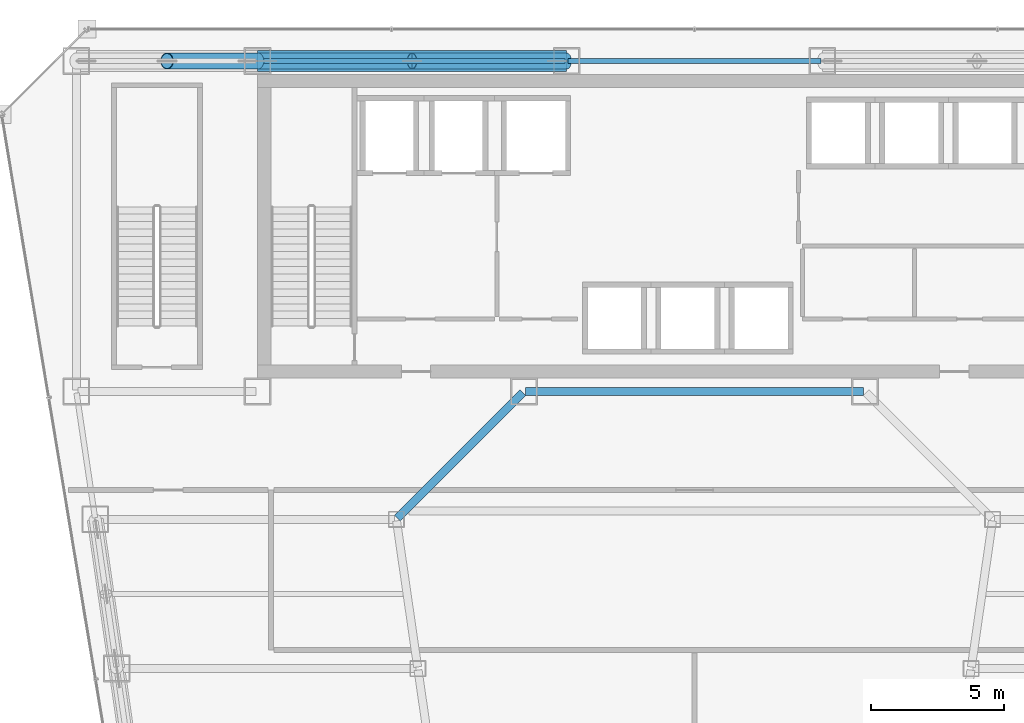
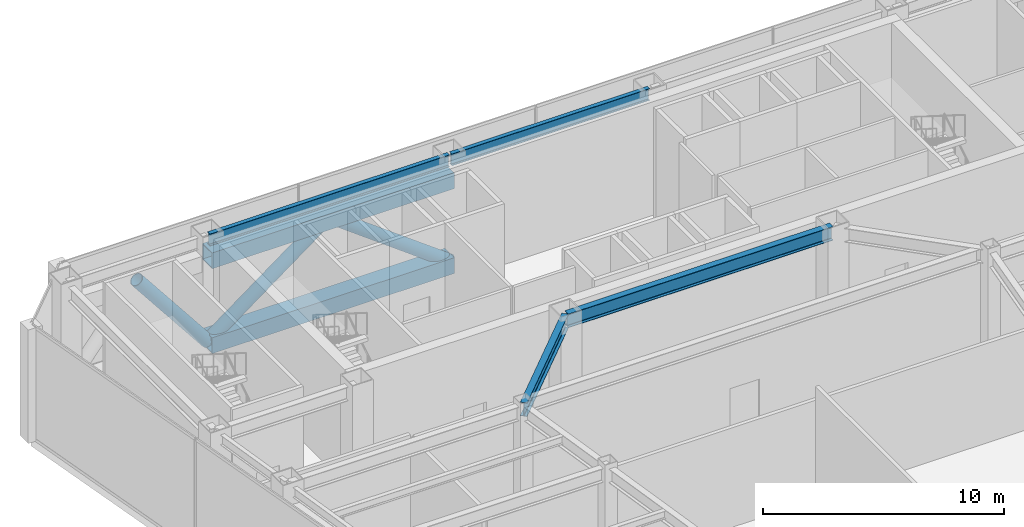
# One storey, part 18 of 30: 5 members, 4 beams.
"""IFC4 building model written with IfcOpenShell, lengths in metres."""

from ifc_helpers import new_model, si_unit, direction, frame, origin, origin_2d, place, context, subcontext, project, spatial, hollow_rectangle, hollow_circle, i_section, extrude, material, material_profile, profile_set, type_object, element, save


model = new_model("IFC4")

# Units and contexts
model_context = context("Model", 3, precision=1e-05, world=origin(), true_north=direction((0.0, 1.0)))
body_context = subcontext(model_context, "Body", "Model", "MODEL_VIEW")
ifc_project = project(units=[si_unit("LENGTHUNIT", "METRE"), si_unit("AREAUNIT", "SQUARE_METRE"), si_unit("VOLUMEUNIT", "CUBIC_METRE"), si_unit("PLANEANGLEUNIT", "RADIAN"), si_unit("MASSUNIT", "GRAM", prefix="KILO")], contexts=[model_context])

# Site, building, storey
site_placement = place(None, origin())
site = spatial("IfcSite", under=ifc_project, at=site_placement, CompositionType="ELEMENT")
building_placement = place(site_placement, origin())
building = spatial("IfcBuilding", under=site, at=building_placement, Name="Saevonmaru Cultural Tower", CompositionType="ELEMENT")
storey_placement = place(building_placement, frame((0.0, 0.0, 123.60009765625)))
storey = spatial("IfcBuildingStorey", under=building, at=storey_placement, Name="L26", CompositionType="ELEMENT", Elevation=123.60009765625)

# Beams
ifc_material_1 = material(Name="Steel SM355", Category="steel")
ifc_material_profile_1 = material_profile(ifc_material_1, i_section(OverallWidth=0.300048828125, OverallDepth=0.699951171875, WebThickness=0.012939453125, FlangeThickness=0.02392578125, FilletRadius=0.02587890625, at=origin_2d()), Name="H-700x300x13x24")
ifc_profile_set_1 = profile_set([ifc_material_profile_1], Name="Steel SM355")
beam_type_1 = type_object("IfcBeamType", Name="BM-G-H700", PredefinedType="BEAM", material=ifc_profile_set_1)
beam_1_placement = place(storey_placement, frame((23.659912109375, 42.39990234375, 5.39990234375), z_axis=(1.0, 0.0, 0.0), x_axis=(0.0, 1.0, 0.0)))
element("IfcBeam", 1, at=beam_1_placement, inside=storey, type_object=beam_type_1, Name="L26 Core South Girder 3", PredefinedType="BEAM", context=body_context, shape_type="SweptSolid", body=[
    extrude(i_section(OverallWidth=0.300048828125, OverallDepth=0.699951171875, WebThickness=0.012939453125, FlangeThickness=0.02392578125, FilletRadius=0.02587890625, at=origin_2d()), origin(), (0.0, 0.0, 1.0), 12.68017578125),
])
beam_2_placement = place(storey_placement, frame((18.850341796875, 37.642578125, 5.39990234375), z_axis=(0.706538566564, 0.707674539572, 0.0), x_axis=(-0.707674539572, 0.706538566564, 0.0)))
element("IfcBeam", 2, at=beam_2_placement, inside=storey, type_object=beam_type_1, Name="L26 West Atrium Girder 5", PredefinedType="BEAM", context=body_context, shape_type="SweptSolid", body=[
    extrude(i_section(OverallWidth=0.300048828125, OverallDepth=0.699951171875, WebThickness=0.012939453125, FlangeThickness=0.02392578125, FilletRadius=0.02587890625, at=origin_2d()), origin(), (0.0, 0.0, 1.0), 6.662353515625),
])
ifc_material_profile_2 = material_profile(ifc_material_1, i_section(OverallWidth=0.199951171875, OverallDepth=0.60009765625, WebThickness=0.010986328125, FlangeThickness=0.01708984375, FilletRadius=0.02197265625, at=origin_2d()), Name="H-600x200x11x17")
ifc_profile_set_2 = profile_set([ifc_material_profile_2], Name="Steel SM355")
beam_type_2 = type_object("IfcBeamType", Name="BM-SP-H600", PredefinedType="SPANDREL", material=ifc_profile_set_2)
beam_3_placement = place(storey_placement, frame((13.659912109375, 54.800048828125, 5.449951171875), z_axis=(1.0, 0.0, 0.0), x_axis=(0.0, 1.0, 0.0)))
element("IfcBeam", 3, at=beam_3_placement, inside=storey, type_object=beam_type_2, Name="L26 North Spine Girder 2", PredefinedType="SPANDREL", context=body_context, shape_type="SweptSolid", body=[
    extrude(i_section(OverallWidth=0.199951171875, OverallDepth=0.60009765625, WebThickness=0.010986328125, FlangeThickness=0.01708984375, FilletRadius=0.02197265625, at=origin_2d()), origin(), (0.0, 0.0, 1.0), 11.47998046875),
])
beam_4_placement = place(storey_placement, frame((25.260009765625, 54.800048828125, 5.449951171875), z_axis=(1.0, 0.0, 0.0), x_axis=(0.0, 1.0, 0.0)))
element("IfcBeam", 4, at=beam_4_placement, inside=storey, type_object=beam_type_2, Name="L26 North Spine Girder 3", PredefinedType="SPANDREL", context=body_context, shape_type="SweptSolid", body=[
    extrude(i_section(OverallWidth=0.199951171875, OverallDepth=0.60009765625, WebThickness=0.010986328125, FlangeThickness=0.01708984375, FilletRadius=0.02197265625, at=origin_2d()), origin(), (0.0, 0.0, 1.0), 9.47998046875),
])

# Members
ifc_material_2 = material(Name="Steel HSA600 (600 MPa)", Category="steel")
ifc_material_profile_3 = material_profile(ifc_material_2, hollow_circle(Radius=0.3046875, WallThickness=0.02490234375, at=origin_2d()), Name="CHS-609.6x25")
ifc_profile_set_3 = profile_set([ifc_material_profile_3], Name="Steel HSA600 (600 MPa)")
member_type_1 = type_object("IfcMemberType", Name="MB-OBR-CHS610", PredefinedType="BRACE", material=ifc_profile_set_3)
member_1_placement = place(storey_placement, frame((13.60009765625, 54.800048828125, 0.2998046875), z_axis=(0.803298940963, 0.0, 0.595576033305), x_axis=(0.0, 1.0, 0.0)))
element("IfcMember", 5, at=member_1_placement, inside=storey, type_object=member_type_1, Name="L26 Outrigger Truss Diagonal OW1-1", PredefinedType="BRACE", context=body_context, shape_type="SweptSolid", body=[
    extrude(hollow_circle(Radius=0.3046875, WallThickness=0.02490234375, at=origin_2d()), origin(), (0.0, 0.0, 1.0), 7.219970703125),
])
member_2_placement = place(storey_placement, frame((25.199951171875, 54.800048828125, 0.2998046875), z_axis=(-0.803310934869, 0.0, 0.595559855867), x_axis=(0.0, -1.0, 0.0)))
element("IfcMember", 6, at=member_2_placement, inside=storey, type_object=member_type_1, Name="L26 Outrigger Truss Diagonal OW1-2", PredefinedType="BRACE", context=body_context, shape_type="SweptSolid", body=[
    extrude(hollow_circle(Radius=0.3046875, WallThickness=0.02490234375, at=origin_2d()), origin(), (0.0, 0.0, 1.0), 7.22021484375),
])
member_3_placement = place(storey_placement, frame((13.60009765625, 54.800048828125, 0.2998046875), z_axis=(-0.620247692314, 0.0, 0.784406017429), x_axis=(0.0, -1.0, 0.0)))
element("IfcMember", 7, at=member_3_placement, inside=storey, type_object=member_type_1, Name="L26 Outrigger Truss Diagonal OW2-2", PredefinedType="BRACE", context=body_context, shape_type="SweptSolid", body=[
    extrude(hollow_circle(Radius=0.3046875, WallThickness=0.02490234375, at=origin_2d()), origin(), (0.0, 0.0, 1.0), 5.48193359375),
])
ifc_material_profile_4 = material_profile(ifc_material_2, hollow_rectangle(XDim=0.800048828125, YDim=0.800048828125, WallThickness=0.035888671875, at=origin_2d()), Name="BOX-800x800x36")
ifc_profile_set_4 = profile_set([ifc_material_profile_4], Name="Steel HSA600 (600 MPa)")
member_type_2 = type_object("IfcMemberType", Name="MB-OCH-BOX800", PredefinedType="CHORD", material=ifc_profile_set_4)
for number, where, z_axis, x_axis, name in (
    (8, (13.60009765625, 54.800048828125, 0.2998046875), (1.0, 0.0, 0.0), (0.0, 1.0, 0.0), "L26 Outrigger Truss Bottom Chord OW1"),
    (9, (13.60009765625, 54.800048828125, 4.599853515625), (1.0, 0.0, 0.0), (0.0, 1.0, 0.0), "L26 Outrigger Truss Top Chord OW1"),
):
    element("IfcMember", number, at=place(storey_placement, frame(where, z_axis=z_axis, x_axis=x_axis)), inside=storey, type_object=member_type_2, Name=name, PredefinedType="CHORD", context=body_context, shape_type="SweptSolid", body=[
        extrude(hollow_rectangle(XDim=0.800048828125, YDim=0.800048828125, WallThickness=0.035888671875, at=origin_2d()), origin(), (0.0, 0.0, 1.0), 11.599853515625),
    ])

save(model, "model.ifc")
